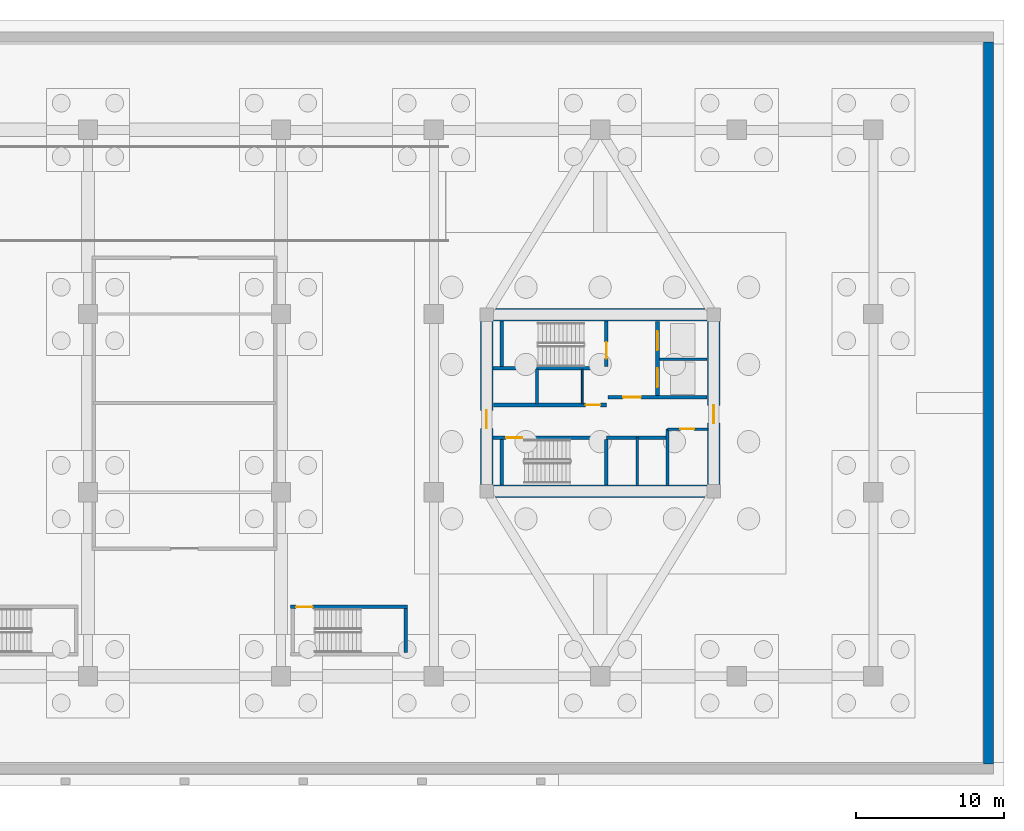
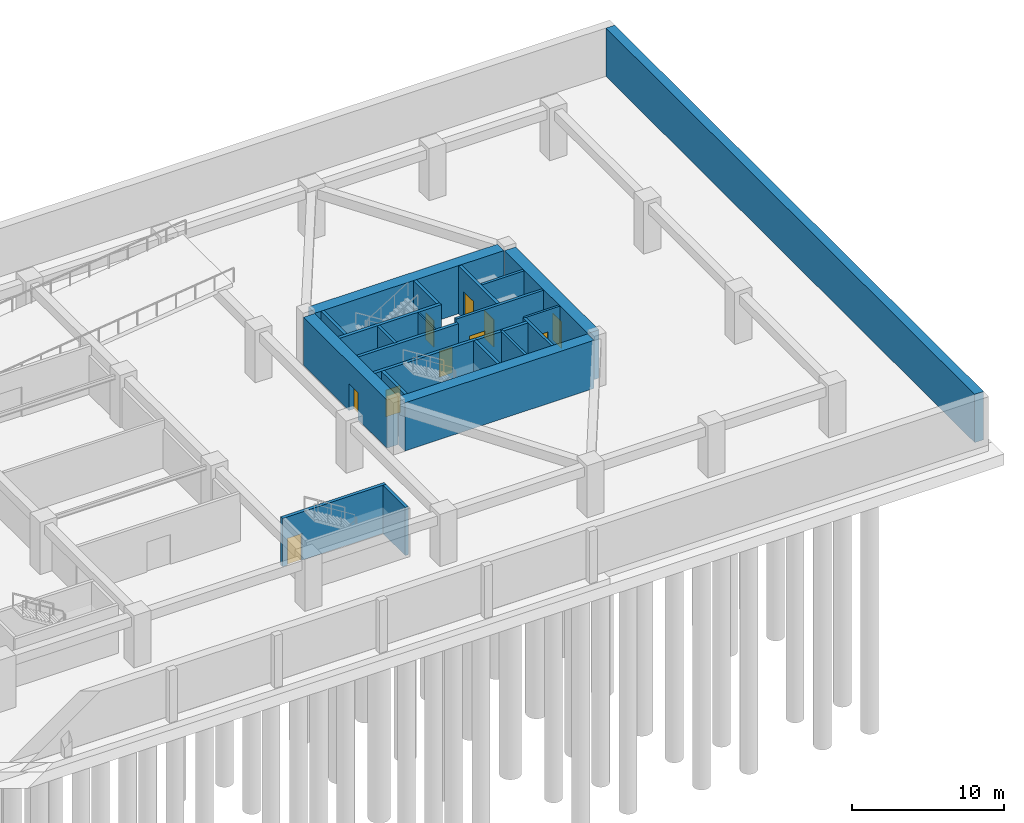
# One storey, part 8 of 14: 23 walls, 10 doors, 10 openings.
"""IFC4 building model written with IfcOpenShell, lengths in metres."""

from ifc_helpers import new_model, si_unit, direction, frame, frame_2d, origin, place, context, subcontext, project, spatial, rectangle, extrude, source, transform, mapped, material, layer, layer_set, type_object, type_shapes, element, fill, save


model = new_model("IFC4")

# Units and contexts
model_context = context("Model", 3, precision=1e-05, world=origin(), true_north=direction((0.0, 1.0)))
body_context = subcontext(model_context, "Body", "Model", "MODEL_VIEW")
ifc_project = project(units=[si_unit("LENGTHUNIT", "METRE"), si_unit("AREAUNIT", "SQUARE_METRE"), si_unit("VOLUMEUNIT", "CUBIC_METRE"), si_unit("PLANEANGLEUNIT", "RADIAN"), si_unit("MASSUNIT", "GRAM", prefix="KILO")], contexts=[model_context])

# Site, building, storey
site_placement = place(None, origin())
site = spatial("IfcSite", under=ifc_project, at=site_placement, CompositionType="ELEMENT")
building_placement = place(site_placement, origin())
building = spatial("IfcBuilding", under=site, at=building_placement, Name="Norrkilde Senior Care Towers", CompositionType="ELEMENT")
storey_placement = place(building_placement, frame((0.0, 0.0, -8.39990234375)))
storey = spatial("IfcBuildingStorey", under=building, at=storey_placement, Name="B2", CompositionType="ELEMENT", Elevation=-8.39990234375)

# Walls
ifc_material_1 = material(Name="Concrete C60/75", Category="concrete")
ifc_layer_1 = layer(ifc_material_1, 0.85009765625)
ifc_layer_set_1 = layer_set([ifc_layer_1], Name="Concrete C60/75")
wall_type_1 = type_object("IfcWallType", Name="Core Shear Wall Z1 850", PredefinedType="SHEAR", material=ifc_layer_set_1)
shared_shape_1 = source(origin(), body_context, "Body", "SweptSolid", [
    extrude(rectangle(XDim=14.39990234375, YDim=0.85009765625, at=frame_2d((7.199951171875, 0.0))), origin(), (0.0, 0.0, 1.0), 3.8798828125),
])
for number, where, z_axis, x_axis, name in (
    (1, (20.800048828125, 5.949951171875, 0.0), (0.0, 0.0, 1.0), (1.0, 0.0, 0.0), "B2 Core E North Shear Wall"),
    (2, (35.199951171875, -5.949951171875, 0.0), (0.0, 0.0, 1.0), (-1.0, 0.0, 0.0), "B2 Core E South Shear Wall"),
):
    element("IfcWall", number, at=place(storey_placement, frame(where, z_axis=z_axis, x_axis=x_axis)), inside=storey, type_object=wall_type_1, Name=name, PredefinedType="SHEAR", context=body_context, shape_type="MappedRepresentation", body=[
        mapped(shared_shape_1, transform((0.0, 0.0, 0.0), x_axis=(1.0, 0.0, 0.0), y_axis=(0.0, 1.0, 0.0), z_axis=(0.0, 0.0, 1.0), scale=1.0)),
    ])

# Wall, opening, door
shared_shape_2 = source(origin(), body_context, "Body", "SweptSolid", [
    extrude(rectangle(XDim=11.0, YDim=0.85009765625, at=frame_2d((5.5, 0.0))), origin(), (0.0, 0.0, 1.0), 3.8798828125),
])
type_shapes(wall_type_1, [shared_shape_1, shared_shape_2])
wall_1_placement = place(storey_placement, frame((20.35009765625, -5.5, 0.0), z_axis=(0.0, 0.0, 1.0), x_axis=(0.0, 1.0, 0.0)))
wall_1 = element("IfcWall", 3, at=wall_1_placement, inside=storey, type_object=wall_type_1, Name="B2 Core E West Shear Wall", PredefinedType="SHEAR", context=body_context, shape_type="MappedRepresentation", body=[
    mapped(shared_shape_2, transform((0.0, 0.0, 0.0), x_axis=(1.0, 0.0, 0.0), y_axis=(0.0, 1.0, 0.0), z_axis=(0.0, 0.0, 1.0), scale=1.0)),
])
opening_1_placement = place(wall_1_placement, frame((3.800048828125, 0.0, 0.0)))
opening_1 = element("IfcOpeningElement", 4, at=opening_1_placement, cuts=wall_1, Name="Opening D-04", PredefinedType="OPENING", context=body_context, shape_type="SweptSolid", body=[
    extrude(rectangle(XDim=1.199951171875, YDim=2.14990234375, at=frame_2d((0.60009765625, 1.074951171875))), frame((0.0, 0.43505859375, 0.0), z_axis=(0.0, -1.0, 0.0), x_axis=(1.0, 0.0, 0.0)), (0.0, 0.0, 1.0), 0.8701171875),
])
ifc_material_2 = material(Name="Galvanised Painted Steel", Category="steel")
door_type_1 = type_object("IfcDoorType", Name="Firefighting Lobby Fire Door 1200x2150", OperationType="NOTDEFINED", PredefinedType="DOOR", material=ifc_material_2)
shared_shape_3 = source(origin(), body_context, "Body", "SweptSolid", [
    extrude(rectangle(XDim=1.199951171875, YDim=2.14990234375, at=frame_2d((0.60009765625, 1.074951171875))), frame((0.0, 0.02490234375, 0.0), z_axis=(0.0, -1.0, 0.0), x_axis=(1.0, 0.0, 0.0)), (0.0, 0.0, 1.0), 0.050048828125),
])
type_shapes(door_type_1, [shared_shape_3])
door_1_placement = place(opening_1_placement, frame((1.199951171875, 0.0, 0.0), z_axis=(0.0, 0.0, 1.0), x_axis=(-1.0, 0.0, 0.0)))
door_1 = element("IfcDoor", 5, at=door_1_placement, inside=storey, type_object=door_type_1, Name="B2 Core E West Portal Door", OperationType="SINGLE_SWING_LEFT", OverallHeight=2.14990234375, OverallWidth=1.199951171875, PredefinedType="DOOR", context=body_context, shape_type="MappedRepresentation", body=[
    mapped(shared_shape_3, transform((0.0, 0.0, 0.0), x_axis=(1.0, 0.0, 0.0), y_axis=(0.0, 1.0, 0.0), z_axis=(0.0, 0.0, 1.0), scale=1.0)),
])
fill(opening_1, door_1)

wall_2_placement = place(storey_placement, frame((35.64990234375, 5.5, 0.0), z_axis=(0.0, 0.0, 1.0), x_axis=(0.0, -1.0, 0.0)))
wall_2 = element("IfcWall", 6, at=wall_2_placement, inside=storey, type_object=wall_type_1, Name="B2 Core E East Shear Wall", PredefinedType="SHEAR", context=body_context, shape_type="MappedRepresentation", body=[
    mapped(shared_shape_2, transform((0.0, 0.0, 0.0), x_axis=(1.0, 0.0, 0.0), y_axis=(0.0, 1.0, 0.0), z_axis=(0.0, 0.0, 1.0), scale=1.0)),
])
opening_2_placement = place(wall_2_placement, frame((5.64990234375, 0.0, 0.0)))
opening_2 = element("IfcOpeningElement", 7, at=opening_2_placement, cuts=wall_2, Name="Opening D-04", PredefinedType="OPENING", context=body_context, shape_type="SweptSolid", body=[
    extrude(rectangle(XDim=1.199951171875, YDim=2.14990234375, at=frame_2d((0.60009765625, 1.074951171875))), frame((0.0, 0.43505859375, 0.0), z_axis=(0.0, -1.0, 0.0), x_axis=(1.0, 0.0, 0.0)), (0.0, 0.0, 1.0), 0.8701171875),
])
door_2_placement = place(opening_2_placement, frame((1.199951171875, 0.0, 0.0), z_axis=(0.0, 0.0, 1.0), x_axis=(-1.0, 0.0, 0.0)))
door_2 = element("IfcDoor", 8, at=door_2_placement, inside=storey, type_object=door_type_1, Name="B2 Core E East Portal Door", OperationType="SINGLE_SWING_RIGHT", OverallHeight=2.14990234375, OverallWidth=1.199951171875, PredefinedType="DOOR", context=body_context, shape_type="MappedRepresentation", body=[
    mapped(shared_shape_3, transform((0.0, 0.0, 0.0), x_axis=(1.0, 0.0, 0.0), y_axis=(0.0, 1.0, 0.0), z_axis=(0.0, 0.0, 1.0), scale=1.0)),
])
fill(opening_2, door_2)

# Walls
ifc_material_3 = material(Name="Concrete C50/60", Category="concrete")
ifc_layer_2 = layer(ifc_material_3, 0.679931640625)
ifc_layer_set_2 = layer_set([ifc_layer_2], Name="Concrete C50/60")
wall_type_2 = type_object("IfcWallType", Name="Basement Retaining Wall 680", PredefinedType="SOLIDWALL", material=ifc_layer_set_2)
shared_shape_4 = source(origin(), body_context, "Body", "SweptSolid", [
    extrude(rectangle(XDim=48.64013671875, YDim=0.679931640625, at=frame_2d((24.320068359375, 0.0))), origin(), (0.0, 0.0, 1.0), 3.8798828125),
])
type_shapes(wall_type_2, [shared_shape_4])
wall_3_placement = place(storey_placement, frame((54.159912109375, -24.320068359375, 0.0), z_axis=(0.0, 0.0, 1.0), x_axis=(0.0, 1.0, 0.0)))
element("IfcWall", 9, at=wall_3_placement, inside=storey, type_object=wall_type_2, Name="B2 E Perimeter Retaining Wall", PredefinedType="SOLIDWALL", context=body_context, shape_type="MappedRepresentation", body=[
    mapped(shared_shape_4, transform((0.0, 0.0, 0.0), x_axis=(1.0, 0.0, 0.0), y_axis=(0.0, 1.0, 0.0), z_axis=(0.0, 0.0, 1.0), scale=1.0)),
])
ifc_material_4 = material(Name="Concrete C45/55", Category="concrete")
ifc_layer_3 = layer(ifc_material_4, 0.239990234375)
ifc_layer_set_3 = layer_set([ifc_layer_3], Name="Concrete C45/55")
wall_type_3 = type_object("IfcWallType", Name="Shaft and Stair Enclosure Wall 240", PredefinedType="PARTITIONING", material=ifc_layer_set_3)
shared_shape_5 = source(origin(), body_context, "Body", "SweptSolid", [
    extrude(rectangle(XDim=7.76513671875, YDim=0.239990234375, at=frame_2d((3.882568359375, 0.0))), origin(), (0.0, 0.0, 1.0), 3.8798828125),
])
wall_4_placement = place(storey_placement, frame((20.77490234375, 2.330078125, 0.0), z_axis=(0.0, 0.0, 1.0), x_axis=(1.0, 0.0, 0.0)))
element("IfcWall", 10, at=wall_4_placement, inside=storey, type_object=wall_type_3, Name="WL-INT-B2-E-ST1S", PredefinedType="PARTITIONING", context=body_context, shape_type="MappedRepresentation", body=[
    mapped(shared_shape_5, transform((0.0, 0.0, 0.0), x_axis=(1.0, 0.0, 0.0), y_axis=(0.0, 1.0, 0.0), z_axis=(0.0, 0.0, 1.0), scale=1.0)),
])

# Wall, opening, door
wall_5_placement = place(storey_placement, frame((20.77490234375, -2.330078125, 0.0), z_axis=(0.0, 0.0, 1.0), x_axis=(1.0, 0.0, 0.0)))
wall_5 = element("IfcWall", 11, at=wall_5_placement, inside=storey, type_object=wall_type_3, Name="WL-INT-B2-E-ST2N", PredefinedType="PARTITIONING", context=body_context, shape_type="MappedRepresentation", body=[
    mapped(shared_shape_5, transform((0.0, 0.0, 0.0), x_axis=(1.0, 0.0, 0.0), y_axis=(0.0, 1.0, 0.0), z_axis=(0.0, 0.0, 1.0), scale=1.0)),
])
opening_3_placement = place(wall_5_placement, frame((0.885009765625, 0.0, 0.0)))
opening_3 = element("IfcOpeningElement", 12, at=opening_3_placement, cuts=wall_5, Name="Opening D-03", PredefinedType="OPENING", context=body_context, shape_type="SweptSolid", body=[
    extrude(rectangle(XDim=1.10009765625, YDim=2.14990234375, at=frame_2d((0.550048828125, 1.074951171875))), frame((0.0, 0.1298828125, 0.0), z_axis=(0.0, -1.0, 0.0), x_axis=(1.0, 0.0, 0.0)), (0.0, 0.0, 1.0), 0.260009765625),
])
door_type_2 = type_object("IfcDoorType", Name="Stairwell Protected Fire Door 1100x2150", OperationType="NOTDEFINED", PredefinedType="DOOR", material=ifc_material_2)
shared_shape_6 = source(origin(), body_context, "Body", "SweptSolid", [
    extrude(rectangle(XDim=1.10009765625, YDim=2.14990234375, at=frame_2d((0.550048828125, 1.074951171875))), frame((0.0, 0.02490234375, 0.0), z_axis=(0.0, -1.0, 0.0), x_axis=(1.0, 0.0, 0.0)), (0.0, 0.0, 1.0), 0.050048828125),
])
type_shapes(door_type_2, [shared_shape_6])
door_3_placement = place(opening_3_placement, frame((1.10009765625, 0.0, 0.0), z_axis=(0.0, 0.0, 1.0), x_axis=(-1.0, 0.0, 0.0)))
door_3 = element("IfcDoor", 13, at=door_3_placement, inside=storey, type_object=door_type_2, Name="B2 Stair E2 Fire Door", OperationType="SINGLE_SWING_RIGHT", OverallHeight=2.14990234375, OverallWidth=1.10009765625, PredefinedType="DOOR", context=body_context, shape_type="MappedRepresentation", body=[
    mapped(shared_shape_6, transform((0.0, 0.0, 0.0), x_axis=(1.0, 0.0, 0.0), y_axis=(0.0, 1.0, 0.0), z_axis=(0.0, 0.0, 1.0), scale=1.0)),
])
fill(opening_3, door_3)

# Wall
shared_shape_7 = source(origin(), body_context, "Body", "SweptSolid", [
    extrude(rectangle(XDim=3.074951171875, YDim=0.239990234375, at=frame_2d((1.53759765625, 0.0))), origin(), (0.0, 0.0, 1.0), 3.8798828125),
])
wall_6_placement = place(storey_placement, frame((21.3798828125, 2.449951171875, 0.0), z_axis=(0.0, 0.0, 1.0), x_axis=(0.0, 1.0, 0.0)))
element("IfcWall", 14, at=wall_6_placement, inside=storey, type_object=wall_type_3, Name="WL-INT-B2-E-ST1W", PredefinedType="PARTITIONING", context=body_context, shape_type="MappedRepresentation", body=[
    mapped(shared_shape_7, transform((0.0, 0.0, 0.0), x_axis=(1.0, 0.0, 0.0), y_axis=(0.0, 1.0, 0.0), z_axis=(0.0, 0.0, 1.0), scale=1.0)),
])

# Wall, opening, door
wall_7_placement = place(storey_placement, frame((28.419921875, 2.449951171875, 0.0), z_axis=(0.0, 0.0, 1.0), x_axis=(0.0, 1.0, 0.0)))
wall_7 = element("IfcWall", 15, at=wall_7_placement, inside=storey, type_object=wall_type_3, Name="WL-INT-B2-E-ST1E", PredefinedType="PARTITIONING", context=body_context, shape_type="MappedRepresentation", body=[
    mapped(shared_shape_7, transform((0.0, 0.0, 0.0), x_axis=(1.0, 0.0, 0.0), y_axis=(0.0, 1.0, 0.0), z_axis=(0.0, 0.0, 1.0), scale=1.0)),
])
opening_4_placement = place(wall_7_placement, frame((0.550048828125, 0.0, 0.0)))
opening_4 = element("IfcOpeningElement", 16, at=opening_4_placement, cuts=wall_7, Name="Opening D-03", PredefinedType="OPENING", context=body_context, shape_type="SweptSolid", body=[
    extrude(rectangle(XDim=1.10009765625, YDim=2.14990234375, at=frame_2d((0.550048828125, 1.074951171875))), frame((0.0, 0.1298828125, 0.0), z_axis=(0.0, -1.0, 0.0), x_axis=(1.0, 0.0, 0.0)), (0.0, 0.0, 1.0), 0.260009765625),
])
door_4_placement = place(opening_4_placement, origin())
door_4 = element("IfcDoor", 17, at=door_4_placement, inside=storey, type_object=door_type_2, Name="B2 Stair E1 Fire Door", OperationType="SINGLE_SWING_LEFT", OverallHeight=2.14990234375, OverallWidth=1.10009765625, PredefinedType="DOOR", context=body_context, shape_type="MappedRepresentation", body=[
    mapped(shared_shape_6, transform((0.0, 0.0, 0.0), x_axis=(1.0, 0.0, 0.0), y_axis=(0.0, 1.0, 0.0), z_axis=(0.0, 0.0, 1.0), scale=1.0)),
])
fill(opening_4, door_4)

# Walls
for number, where, z_axis, x_axis, name in (
    (18, (21.3798828125, -5.52490234375, 0.0), (0.0, 0.0, 1.0), (0.0, 1.0, 0.0), "WL-INT-B2-E-ST2W"),
    (19, (28.419921875, -5.52490234375, 0.0), (0.0, 0.0, 1.0), (0.0, 1.0, 0.0), "WL-INT-B2-E-ST2E"),
):
    element("IfcWall", number, at=place(storey_placement, frame(where, z_axis=z_axis, x_axis=x_axis)), inside=storey, type_object=wall_type_3, Name=name, PredefinedType="PARTITIONING", context=body_context, shape_type="MappedRepresentation", body=[
        mapped(shared_shape_7, transform((0.0, 0.0, 0.0), x_axis=(1.0, 0.0, 0.0), y_axis=(0.0, 1.0, 0.0), z_axis=(0.0, 0.0, 1.0), scale=1.0)),
    ])

# Wall, openings, doors
ifc_layer_4 = layer(ifc_material_4, 0.239990234375)
ifc_layer_set_4 = layer_set([ifc_layer_4], Name="Concrete C45/55")
wall_type_4 = type_object("IfcWallType", Name="Lift and Plant Rated Enclosure Partition 240", PredefinedType="PARTITIONING", material=ifc_layer_set_4)
shared_shape_8 = source(origin(), body_context, "Body", "SweptSolid", [
    extrude(rectangle(XDim=5.0, YDim=0.239990234375, at=frame_2d((2.5, 0.0))), origin(), (0.0, 0.0, 1.0), 3.864990234375),
])
wall_8_placement = place(storey_placement, frame((31.860107421875, 0.5, 0.0), z_axis=(0.0, 0.0, 1.0), x_axis=(0.0, 1.0, 0.0)))
wall_8 = element("IfcWall", 20, at=wall_8_placement, inside=storey, type_object=wall_type_4, Name="WL-INT-B2-E-FFLE", PredefinedType="PARTITIONING", context=body_context, shape_type="MappedRepresentation", body=[
    mapped(shared_shape_8, transform((0.0, 0.0, 0.0), x_axis=(1.0, 0.0, 0.0), y_axis=(0.0, 1.0, 0.0), z_axis=(0.0, 0.0, 1.0), scale=1.0)),
])
opening_5_placement = place(wall_8_placement, frame((3.050048828125, 0.0, 0.0)))
opening_5 = element("IfcOpeningElement", 21, at=opening_5_placement, cuts=wall_8, Name="Opening LD-02", PredefinedType="OPENING", context=body_context, shape_type="SweptSolid", body=[
    extrude(rectangle(XDim=1.300048828125, YDim=2.199951171875, at=frame_2d((0.64990234375, 1.10009765625))), frame((0.0, 0.1298828125, 0.0), z_axis=(0.0, -1.0, 0.0), x_axis=(1.0, 0.0, 0.0)), (0.0, 0.0, 1.0), 0.260009765625),
])
opening_6_placement = place(wall_8_placement, frame((0.550048828125, 0.0, 0.0)))
opening_6 = element("IfcOpeningElement", 22, at=opening_6_placement, cuts=wall_8, Name="Opening LD-02", PredefinedType="OPENING", context=body_context, shape_type="SweptSolid", body=[
    extrude(rectangle(XDim=1.300048828125, YDim=2.199951171875, at=frame_2d((0.64990234375, 1.10009765625))), frame((0.0, 0.1298828125, 0.0), z_axis=(0.0, -1.0, 0.0), x_axis=(1.0, 0.0, 0.0)), (0.0, 0.0, 1.0), 0.260009765625),
])
ifc_material_5 = material(Name="Stainless Steel", Category="steel")
door_type_3 = type_object("IfcDoorType", Name="Stretcher and FFL Landing Sliding Door 1300x2200", OperationType="NOTDEFINED", PredefinedType="DOOR", material=ifc_material_5)
shared_shape_9 = source(origin(), body_context, "Body", "SweptSolid", [
    extrude(rectangle(XDim=1.300048828125, YDim=2.199951171875, at=frame_2d((0.64990234375, 1.10009765625))), frame((0.0, 0.02490234375, 0.0), z_axis=(0.0, -1.0, 0.0), x_axis=(1.0, 0.0, 0.0)), (0.0, 0.0, 1.0), 0.050048828125),
])
type_shapes(door_type_3, [shared_shape_9])
door_5_placement = place(opening_5_placement, origin())
door_5 = element("IfcDoor", 23, at=door_5_placement, inside=storey, type_object=door_type_3, Name="B2 Firefighting Lift E1 Landing Door", OperationType="SLIDING_TO_LEFT", OverallHeight=2.199951171875, OverallWidth=1.300048828125, PredefinedType="DOOR", context=body_context, shape_type="MappedRepresentation", body=[
    mapped(shared_shape_9, transform((0.0, 0.0, 0.0), x_axis=(1.0, 0.0, 0.0), y_axis=(0.0, 1.0, 0.0), z_axis=(0.0, 0.0, 1.0), scale=1.0)),
])
fill(opening_5, door_5)
door_6_placement = place(opening_6_placement, origin())
door_6 = element("IfcDoor", 24, at=door_6_placement, inside=storey, type_object=door_type_3, Name="B2 Stretcher Lift E1 Landing Door", OperationType="SLIDING_TO_RIGHT", OverallHeight=2.199951171875, OverallWidth=1.300048828125, PredefinedType="DOOR", context=body_context, shape_type="MappedRepresentation", body=[
    mapped(shared_shape_9, transform((0.0, 0.0, 0.0), x_axis=(1.0, 0.0, 0.0), y_axis=(0.0, 1.0, 0.0), z_axis=(0.0, 0.0, 1.0), scale=1.0)),
])
fill(opening_6, door_6)

# Wall
ifc_layer_5 = layer(ifc_material_4, 0.199951171875)
ifc_layer_set_5 = layer_set([ifc_layer_5], Name="Concrete C45/55")
wall_type_5 = type_object("IfcWallType", Name="Shaft Division and Plant Partition 200", PredefinedType="PARTITIONING", material=ifc_layer_set_5)
shared_shape_10 = source(origin(), body_context, "Body", "SweptSolid", [
    extrude(rectangle(XDim=3.199951171875, YDim=0.199951171875, at=frame_2d((1.60009765625, 0.0))), origin(), (0.0, 0.0, 1.0), 3.864990234375),
])
wall_9_placement = place(storey_placement, frame((32.0, 2.949951171875, 0.0), z_axis=(0.0, 0.0, 1.0), x_axis=(1.0, 0.0, 0.0)))
element("IfcWall", 25, at=wall_9_placement, inside=storey, type_object=wall_type_5, Name="WL-INT-B2-E-FFLDIV", PredefinedType="PARTITIONING", context=body_context, shape_type="MappedRepresentation", body=[
    mapped(shared_shape_10, transform((0.0, 0.0, 0.0), x_axis=(1.0, 0.0, 0.0), y_axis=(0.0, 1.0, 0.0), z_axis=(0.0, 0.0, 1.0), scale=1.0)),
])

# Wall, opening, door
ifc_layer_6 = layer(ifc_material_4, 0.2099609375)
ifc_layer_set_6 = layer_set([ifc_layer_6], Name="Concrete C45/55")
wall_type_6 = type_object("IfcWallType", Name="Firefighting Lobby Wall 210", PredefinedType="PARTITIONING", material=ifc_layer_set_6)
shared_shape_11 = source(origin(), body_context, "Body", "SweptSolid", [
    extrude(rectangle(XDim=6.659912109375, YDim=0.2099609375, at=frame_2d((3.330078125, 0.0))), origin(), (0.0, 0.0, 1.0), 3.864990234375),
])
type_shapes(wall_type_6, [shared_shape_11])
wall_10_placement = place(storey_placement, frame((28.5400390625, 0.389892578125, 0.0), z_axis=(0.0, 0.0, 1.0), x_axis=(1.0, 0.0, 0.0)))
wall_10 = element("IfcWall", 26, at=wall_10_placement, inside=storey, type_object=wall_type_6, Name="WL-INT-B2-E-FFLS", PredefinedType="PARTITIONING", context=body_context, shape_type="MappedRepresentation", body=[
    mapped(shared_shape_11, transform((0.0, 0.0, 0.0), x_axis=(1.0, 0.0, 0.0), y_axis=(0.0, 1.0, 0.0), z_axis=(0.0, 0.0, 1.0), scale=1.0)),
])
opening_7_placement = place(wall_10_placement, frame((1.0, 0.0, 0.0)))
opening_7 = element("IfcOpeningElement", 27, at=opening_7_placement, cuts=wall_10, Name="Opening D-04", PredefinedType="OPENING", context=body_context, shape_type="SweptSolid", body=[
    extrude(rectangle(XDim=1.199951171875, YDim=2.14990234375, at=frame_2d((0.60009765625, 1.074951171875))), frame((0.0, 0.114990234375, 0.0), z_axis=(0.0, -1.0, 0.0), x_axis=(1.0, 0.0, 0.0)), (0.0, 0.0, 1.0), 0.22998046875),
])
door_7_placement = place(opening_7_placement, frame((1.199951171875, 0.0, 0.0), z_axis=(0.0, 0.0, 1.0), x_axis=(-1.0, 0.0, 0.0)))
door_7 = element("IfcDoor", 28, at=door_7_placement, inside=storey, type_object=door_type_1, Name="B2 Firefighting Lobby E Door", OperationType="SINGLE_SWING_LEFT", OverallHeight=2.14990234375, OverallWidth=1.199951171875, PredefinedType="DOOR", context=body_context, shape_type="MappedRepresentation", body=[
    mapped(shared_shape_3, transform((0.0, 0.0, 0.0), x_axis=(1.0, 0.0, 0.0), y_axis=(0.0, 1.0, 0.0), z_axis=(0.0, 0.0, 1.0), scale=1.0)),
])
fill(opening_7, door_7)

shared_shape_12 = source(origin(), body_context, "Body", "SweptSolid", [
    extrude(rectangle(XDim=7.619873046875, YDim=0.239990234375, at=frame_2d((3.81005859375, 0.0))), origin(), (0.0, 0.0, 1.0), 3.864990234375),
])
wall_11_placement = place(storey_placement, frame((20.800048828125, -0.1298828125, 0.0), z_axis=(0.0, 0.0, 1.0), x_axis=(1.0, 0.0, 0.0)))
wall_11 = element("IfcWall", 29, at=wall_11_placement, inside=storey, type_object=wall_type_4, Name="WL-INT-B2-E-PKAS", PredefinedType="PARTITIONING", context=body_context, shape_type="MappedRepresentation", body=[
    mapped(shared_shape_12, transform((0.0, 0.0, 0.0), x_axis=(1.0, 0.0, 0.0), y_axis=(0.0, 1.0, 0.0), z_axis=(0.0, 0.0, 1.0), scale=1.0)),
])
opening_8_placement = place(wall_11_placement, frame((6.219970703125, 0.0, 0.0)))
opening_8 = element("IfcOpeningElement", 30, at=opening_8_placement, cuts=wall_11, Name="Opening D-10", PredefinedType="OPENING", context=body_context, shape_type="SweptSolid", body=[
    extrude(rectangle(XDim=1.0, YDim=2.10009765625, at=frame_2d((0.5, 1.050048828125))), frame((0.0, 0.1298828125, 0.0), z_axis=(0.0, -1.0, 0.0), x_axis=(1.0, 0.0, 0.0)), (0.0, 0.0, 1.0), 0.260009765625),
])
door_type_4 = type_object("IfcDoorType", Name="Plant and Riser Rated Door 1000x2100", OperationType="NOTDEFINED", PredefinedType="DOOR", material=ifc_material_2)
shared_shape_13 = source(origin(), body_context, "Body", "SweptSolid", [
    extrude(rectangle(XDim=1.0, YDim=2.10009765625, at=frame_2d((0.5, 1.050048828125))), frame((0.0, 0.02490234375, 0.0), z_axis=(0.0, -1.0, 0.0), x_axis=(1.0, 0.0, 0.0)), (0.0, 0.0, 1.0), 0.050048828125),
])
type_shapes(door_type_4, [shared_shape_13])
door_8_placement = place(opening_8_placement, frame((1.0, 0.0, 0.0), z_axis=(0.0, 0.0, 1.0), x_axis=(-1.0, 0.0, 0.0)))
door_8 = element("IfcDoor", 31, at=door_8_placement, inside=storey, type_object=door_type_4, Name="B2 Electrical Riser E Door", OperationType="SINGLE_SWING_LEFT", OverallHeight=2.10009765625, OverallWidth=1.0, PredefinedType="DOOR", context=body_context, shape_type="MappedRepresentation", body=[
    mapped(shared_shape_13, transform((0.0, 0.0, 0.0), x_axis=(1.0, 0.0, 0.0), y_axis=(0.0, 1.0, 0.0), z_axis=(0.0, 0.0, 1.0), scale=1.0)),
])
fill(opening_8, door_8)

# Walls
ifc_material_6 = material(Name="Gypsum Acoustic Board")
ifc_layer_7 = layer(ifc_material_6, 0.114990234375)
ifc_layer_set_7 = layer_set([ifc_layer_7], Name="Gypsum Acoustic Board")
wall_type_7 = type_object("IfcWallType", Name="Internal Room Partition 115", PredefinedType="PARTITIONING", material=ifc_layer_set_7)
shared_shape_14 = source(origin(), body_context, "Body", "SweptSolid", [
    extrude(rectangle(XDim=2.330078125, YDim=0.114990234375, at=frame_2d((1.1650390625, 0.0))), origin(), (0.0, 0.0, 1.0), 3.864990234375),
])
type_shapes(wall_type_7, [shared_shape_14])
wall_12_placement = place(storey_placement, frame((26.7900390625, -0.050048828125, 0.0), z_axis=(0.0, 0.0, 1.0), x_axis=(0.0, 1.0, 0.0)))
element("IfcWall", 32, at=wall_12_placement, inside=storey, type_object=wall_type_7, Name="WL-INT-B2-E-RISW", PredefinedType="PARTITIONING", context=body_context, shape_type="MappedRepresentation", body=[
    mapped(shared_shape_14, transform((0.0, 0.0, 0.0), x_axis=(1.0, 0.0, 0.0), y_axis=(0.0, 1.0, 0.0), z_axis=(0.0, 0.0, 1.0), scale=1.0)),
])
shared_shape_15 = source(origin(), body_context, "Body", "SweptSolid", [
    extrude(rectangle(XDim=2.330078125, YDim=0.199951171875, at=frame_2d((1.1650390625, 0.0))), origin(), (0.0, 0.0, 1.0), 3.864990234375),
])
wall_13_placement = place(storey_placement, frame((23.75, -0.050048828125, 0.0), z_axis=(0.0, 0.0, 1.0), x_axis=(0.0, 1.0, 0.0)))
element("IfcWall", 33, at=wall_13_placement, inside=storey, type_object=wall_type_5, Name="WL-INT-B2-E-PL12", PredefinedType="PARTITIONING", context=body_context, shape_type="MappedRepresentation", body=[
    mapped(shared_shape_15, transform((0.0, 0.0, 0.0), x_axis=(1.0, 0.0, 0.0), y_axis=(0.0, 1.0, 0.0), z_axis=(0.0, 0.0, 1.0), scale=1.0)),
])
shared_shape_16 = source(origin(), body_context, "Body", "SweptSolid", [
    extrude(rectangle(XDim=3.800048828125, YDim=0.199951171875, at=frame_2d((1.89990234375, 0.0))), origin(), (0.0, 0.0, 1.0), 3.864990234375),
])
type_shapes(wall_type_5, [shared_shape_10, shared_shape_15, shared_shape_16])
wall_14_placement = place(storey_placement, frame((32.550048828125, -5.550048828125, 0.0), z_axis=(0.0, 0.0, 1.0), x_axis=(0.0, 1.0, 0.0)))
element("IfcWall", 34, at=wall_14_placement, inside=storey, type_object=wall_type_5, Name="WL-INT-B2-E-PKBE", PredefinedType="PARTITIONING", context=body_context, shape_type="MappedRepresentation", body=[
    mapped(shared_shape_16, transform((0.0, 0.0, 0.0), x_axis=(1.0, 0.0, 0.0), y_axis=(0.0, 1.0, 0.0), z_axis=(0.0, 0.0, 1.0), scale=1.0)),
])
shared_shape_17 = source(origin(), body_context, "Body", "SweptSolid", [
    extrude(rectangle(XDim=4.130126953125, YDim=0.239990234375, at=frame_2d((2.06494140625, 0.0))), origin(), (0.0, 0.0, 1.0), 3.864990234375),
])
type_shapes(wall_type_4, [shared_shape_8, shared_shape_12, shared_shape_17])
wall_15_placement = place(storey_placement, frame((28.419921875, -2.330078125, 0.0), z_axis=(0.0, 0.0, 1.0), x_axis=(1.0, 0.0, 0.0)))
element("IfcWall", 35, at=wall_15_placement, inside=storey, type_object=wall_type_4, Name="WL-INT-B2-E-PKBN", PredefinedType="PARTITIONING", context=body_context, shape_type="MappedRepresentation", body=[
    mapped(shared_shape_17, transform((0.0, 0.0, 0.0), x_axis=(1.0, 0.0, 0.0), y_axis=(0.0, 1.0, 0.0), z_axis=(0.0, 0.0, 1.0), scale=1.0)),
])
ifc_layer_8 = layer(ifc_material_4, 0.179931640625)
ifc_layer_set_8 = layer_set([ifc_layer_8], Name="Concrete C45/55")
wall_type_8 = type_object("IfcWallType", Name="Hoistway Division Rated Partition 180", PredefinedType="PARTITIONING", material=ifc_layer_set_8)
shared_shape_18 = source(origin(), body_context, "Body", "SweptSolid", [
    extrude(rectangle(XDim=3.219970703125, YDim=0.179931640625, at=frame_2d((1.60986328125, 0.0))), origin(), (0.0, 0.0, 1.0), 3.864990234375),
])
type_shapes(wall_type_8, [shared_shape_18])
wall_16_placement = place(storey_placement, frame((30.5, -5.550048828125, 0.0), z_axis=(0.0, 0.0, 1.0), x_axis=(0.0, 1.0, 0.0)))
element("IfcWall", 36, at=wall_16_placement, inside=storey, type_object=wall_type_8, Name="WL-INT-B2-E-PL34", PredefinedType="PARTITIONING", context=body_context, shape_type="MappedRepresentation", body=[
    mapped(shared_shape_18, transform((0.0, 0.0, 0.0), x_axis=(1.0, 0.0, 0.0), y_axis=(0.0, 1.0, 0.0), z_axis=(0.0, 0.0, 1.0), scale=1.0)),
])

# Wall, opening, door
ifc_layer_9 = layer(ifc_material_6, 0.1650390625)
ifc_layer_set_9 = layer_set([ifc_layer_9], Name="Gypsum Acoustic Board")
wall_type_9 = type_object("IfcWallType", Name="Corridor Rated Partition 165", PredefinedType="PARTITIONING", material=ifc_layer_set_9)
shared_shape_19 = source(origin(), body_context, "Body", "SweptSolid", [
    extrude(rectangle(XDim=2.699951171875, YDim=0.1650390625, at=frame_2d((1.35009765625, 0.0))), origin(), (0.0, 0.0, 1.0), 3.864990234375),
])
type_shapes(wall_type_9, [shared_shape_19])
wall_17_placement = place(storey_placement, frame((32.550048828125, -1.75, 0.0), z_axis=(0.0, 0.0, 1.0), x_axis=(1.0, 0.0, 0.0)))
wall_17 = element("IfcWall", 37, at=wall_17_placement, inside=storey, type_object=wall_type_9, Name="WL-INT-B2-E-CSN", PredefinedType="PARTITIONING", context=body_context, shape_type="MappedRepresentation", body=[
    mapped(shared_shape_19, transform((0.0, 0.0, 0.0), x_axis=(1.0, 0.0, 0.0), y_axis=(0.0, 1.0, 0.0), z_axis=(0.0, 0.0, 1.0), scale=1.0)),
])
opening_9_placement = place(wall_17_placement, frame((0.85009765625, 0.0, 0.0)))
opening_9 = element("IfcOpeningElement", 38, at=opening_9_placement, cuts=wall_17, Name="Opening D-12", PredefinedType="OPENING", context=body_context, shape_type="SweptSolid", body=[
    extrude(rectangle(XDim=0.925048828125, YDim=2.10009765625, at=frame_2d((0.46240234375, 1.050048828125))), frame((0.0, 0.092529296875, 0.0), z_axis=(0.0, -1.0, 0.0), x_axis=(1.0, 0.0, 0.0)), (0.0, 0.0, 1.0), 0.18505859375),
])
door_type_5 = type_object("IfcDoorType", Name="Core Wet Room Rated Door 925x2100", OperationType="NOTDEFINED", PredefinedType="DOOR", material=ifc_material_2)
shared_shape_20 = source(origin(), body_context, "Body", "SweptSolid", [
    extrude(rectangle(XDim=0.925048828125, YDim=2.10009765625, at=frame_2d((0.46240234375, 1.050048828125))), frame((0.0, 0.02490234375, 0.0), z_axis=(0.0, -1.0, 0.0), x_axis=(1.0, 0.0, 0.0)), (0.0, 0.0, 1.0), 0.050048828125),
])
type_shapes(door_type_5, [shared_shape_20])
door_9_placement = place(opening_9_placement, origin())
door_9 = element("IfcDoor", 39, at=door_9_placement, inside=storey, type_object=door_type_5, Name="B2 Core Utility E Door", OperationType="SINGLE_SWING_LEFT", OverallHeight=2.10009765625, OverallWidth=0.925048828125, PredefinedType="DOOR", context=body_context, shape_type="MappedRepresentation", body=[
    mapped(shared_shape_20, transform((0.0, 0.0, 0.0), x_axis=(1.0, 0.0, 0.0), y_axis=(0.0, 1.0, 0.0), z_axis=(0.0, 0.0, 1.0), scale=1.0)),
])
fill(opening_9, door_9)

shared_shape_21 = source(origin(), body_context, "Body", "SweptSolid", [
    extrude(rectangle(XDim=7.880126953125, YDim=0.239990234375, at=frame_2d((3.93994140625, 0.0))), origin(), (0.0, 0.0, 1.0), 3.8798828125),
])
wall_18_placement = place(storey_placement, frame((7.159912109375, -13.72998046875, 0.0), z_axis=(0.0, 0.0, 1.0), x_axis=(1.0, 0.0, 0.0)))
wall_18 = element("IfcWall", 40, at=wall_18_placement, inside=storey, type_object=wall_type_3, Name="WL-INT-B2-STP2-N", PredefinedType="PARTITIONING", context=body_context, shape_type="MappedRepresentation", body=[
    mapped(shared_shape_21, transform((0.0, 0.0, 0.0), x_axis=(1.0, 0.0, 0.0), y_axis=(0.0, 1.0, 0.0), z_axis=(0.0, 0.0, 1.0), scale=1.0)),
])
opening_10_placement = place(wall_18_placement, frame((0.3701171875, 0.0, 0.0)))
opening_10 = element("IfcOpeningElement", 41, at=opening_10_placement, cuts=wall_18, Name="Opening D-03", PredefinedType="OPENING", context=body_context, shape_type="SweptSolid", body=[
    extrude(rectangle(XDim=1.10009765625, YDim=2.14990234375, at=frame_2d((0.550048828125, 1.074951171875))), frame((0.0, 0.1298828125, 0.0), z_axis=(0.0, -1.0, 0.0), x_axis=(1.0, 0.0, 0.0)), (0.0, 0.0, 1.0), 0.260009765625),
])
door_10_placement = place(opening_10_placement, origin())
door_10 = element("IfcDoor", 42, at=door_10_placement, inside=storey, type_object=door_type_2, Name="B2 Podium Stair P2 Door", OperationType="SINGLE_SWING_LEFT", OverallHeight=2.14990234375, OverallWidth=1.10009765625, PredefinedType="DOOR", context=body_context, shape_type="MappedRepresentation", body=[
    mapped(shared_shape_6, transform((0.0, 0.0, 0.0), x_axis=(1.0, 0.0, 0.0), y_axis=(0.0, 1.0, 0.0), z_axis=(0.0, 0.0, 1.0), scale=1.0)),
])
fill(opening_10, door_10)

# Wall
shared_shape_22 = source(origin(), body_context, "Body", "SweptSolid", [
    extrude(rectangle(XDim=2.949951171875, YDim=0.239990234375, at=frame_2d((1.47509765625, 0.0))), origin(), (0.0, 0.0, 1.0), 3.8798828125),
])
type_shapes(wall_type_3, [shared_shape_5, shared_shape_7, shared_shape_21, shared_shape_22])
wall_19_placement = place(storey_placement, frame((14.919921875, -16.800048828125, 0.0), z_axis=(0.0, 0.0, 1.0), x_axis=(0.0, 1.0, 0.0)))
element("IfcWall", 43, at=wall_19_placement, inside=storey, type_object=wall_type_3, Name="WL-INT-B2-STP2-E", PredefinedType="PARTITIONING", context=body_context, shape_type="MappedRepresentation", body=[
    mapped(shared_shape_22, transform((0.0, 0.0, 0.0), x_axis=(1.0, 0.0, 0.0), y_axis=(0.0, 1.0, 0.0), z_axis=(0.0, 0.0, 1.0), scale=1.0)),
])

save(model, "model.ifc")
